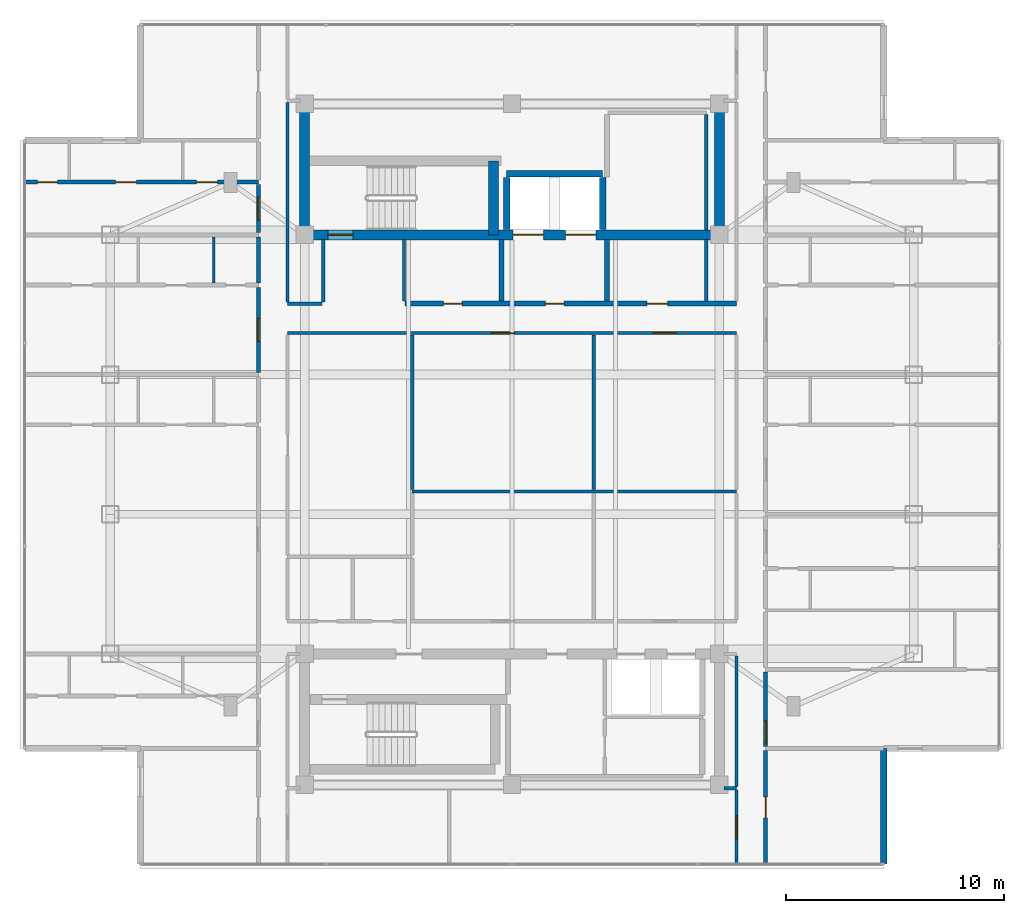
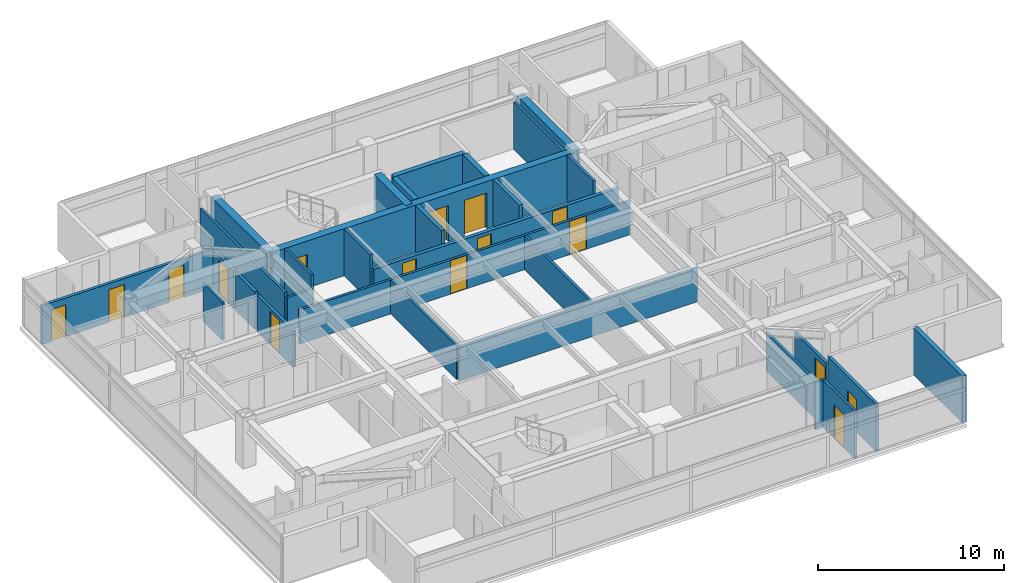
# One storey, part 9 of 14: 31 walls, 16 doors, 16 openings.
"""IFC4 building model written with IfcOpenShell, lengths in metres."""

from ifc_helpers import new_model, si_unit, direction, frame, frame_2d, origin, place, context, subcontext, project, spatial, rectangle, extrude, material, layer, layer_set, type_object, element, fill, save


model = new_model("IFC4")

# Units and contexts
model_context = context("Model", 3, precision=1e-05, world=origin(), true_north=direction((0.0, 1.0)))
body_context = subcontext(model_context, "Body", "Model", "MODEL_VIEW")
ifc_project = project(units=[si_unit("LENGTHUNIT", "METRE"), si_unit("AREAUNIT", "SQUARE_METRE"), si_unit("VOLUMEUNIT", "CUBIC_METRE"), si_unit("PLANEANGLEUNIT", "RADIAN"), si_unit("MASSUNIT", "GRAM", prefix="KILO")], contexts=[model_context])

# Site, building, storey
site_placement = place(None, origin())
site = spatial("IfcSite", under=ifc_project, at=site_placement, CompositionType="ELEMENT")
building_placement = place(site_placement, origin())
building = spatial("IfcBuilding", under=site, at=building_placement, Name="Mirazonda Arch Towers", CompositionType="ELEMENT")
storey_placement = place(building_placement, frame((0.0, 0.0, 245.800048828125)))
storey = spatial("IfcBuildingStorey", under=building, at=storey_placement, Name="L70", CompositionType="ELEMENT", Elevation=245.800048828125)

# Walls
ifc_material_1 = material(Name="Concrete C50/60", Category="concrete")
ifc_layer_1 = layer(ifc_material_1, 0.449951171875, Name="WALL-CORE-450")
ifc_layer_set_1 = layer_set([ifc_layer_1], Name="Concrete C50/60")
wall_type_1 = type_object("IfcWallType", Name="WALL-CORE-450", PredefinedType="SHEAR", material=ifc_layer_set_1)
for number, where, z_axis, x_axis, name in (
    (1, (11.0, 37.60009765625, 0.0), (0.0, 0.0, 1.0), (0.0, 1.0, 0.0), "L70 T1N-W Core Shear Wall"),
    (2, (30.0, 37.60009765625, 0.0), (0.0, 0.0, 1.0), (0.0, 1.0, 0.0), "L70 T1N-E Core Shear Wall"),
):
    element("IfcWall", number, at=place(storey_placement, frame(where, z_axis=z_axis, x_axis=x_axis)), inside=storey, type_object=wall_type_1, Name=name, PredefinedType="SHEAR", context=body_context, shape_type="SweptSolid", body=[
        extrude(rectangle(XDim=6.0, YDim=0.449951171875, at=frame_2d((3.0, 0.0))), origin(), (0.0, 0.0, 1.0), 3.099853515625),
    ])

# Wall, openings, doors
wall_1_placement = place(storey_placement, frame((11.0, 37.60009765625, 0.0), z_axis=(0.0, 0.0, 1.0), x_axis=(1.0, 0.0, 0.0)))
wall_1 = element("IfcWall", 3, at=wall_1_placement, inside=storey, type_object=wall_type_1, Name="L70 T1N-S Core Shear Wall", PredefinedType="SHEAR", context=body_context, shape_type="SweptSolid", body=[
    extrude(rectangle(XDim=19.0, YDim=0.449951171875, at=frame_2d((9.5, 0.0))), origin(), (0.0, 0.0, 1.0), 3.099853515625),
])
opening_1_placement = place(wall_1_placement, frame((1.06005859375, 0.0, 0.0)))
opening_1 = element("IfcOpeningElement", 4, at=opening_1_placement, cuts=wall_1, Name="Opening DR-135", PredefinedType="OPENING", context=body_context, shape_type="SweptSolid", body=[
    extrude(rectangle(XDim=1.14990234375, YDim=2.199951171875, at=frame_2d((0.574951171875, 1.10009765625))), frame((0.0, 0.23486328125, 0.0), z_axis=(0.0, -1.0, 0.0), x_axis=(1.0, 0.0, 0.0)), (0.0, 0.0, 1.0), 0.469970703125),
])
opening_2_placement = place(wall_1_placement, frame((9.550048828125, 0.0, 0.0)))
opening_2 = element("IfcOpeningElement", 5, at=opening_2_placement, cuts=wall_1, Name="Opening LD-112", PredefinedType="OPENING", context=body_context, shape_type="SweptSolid", body=[
    extrude(rectangle(XDim=1.39990234375, YDim=2.35009765625, at=frame_2d((0.699951171875, 1.175048828125))), frame((0.0, 0.23486328125, 0.0), z_axis=(0.0, -1.0, 0.0), x_axis=(1.0, 0.0, 0.0)), (0.0, 0.0, 1.0), 0.469970703125),
])
opening_3_placement = place(wall_1_placement, frame((11.949951171875, 0.0, 0.0)))
opening_3 = element("IfcOpeningElement", 6, at=opening_3_placement, cuts=wall_1, Name="Opening LD-112", PredefinedType="OPENING", context=body_context, shape_type="SweptSolid", body=[
    extrude(rectangle(XDim=1.39990234375, YDim=2.35009765625, at=frame_2d((0.699951171875, 1.175048828125))), frame((0.0, 0.23486328125, 0.0), z_axis=(0.0, -1.0, 0.0), x_axis=(1.0, 0.0, 0.0)), (0.0, 0.0, 1.0), 0.469970703125),
])
ifc_material_2 = material(Name="Architectural Brushed Steel S355", Category="steel")
door_type_1 = type_object("IfcDoorType", Name="DOOR-LIFT-FFL-1400", OperationType="NOTDEFINED", PredefinedType="DOOR", material=ifc_material_2)
door_1_placement = place(opening_2_placement, origin())
door_1 = element("IfcDoor", 7, at=door_1_placement, inside=storey, type_object=door_type_1, Name="L70 Lift Landing Sliding Door FFL-T1", OperationType="DOUBLE_DOOR_SLIDING", OverallHeight=2.35009765625, OverallWidth=1.39990234375, PredefinedType="DOOR", context=body_context, shape_type="SweptSolid", body=[
    extrude(rectangle(XDim=1.39990234375, YDim=2.35009765625, at=frame_2d((0.699951171875, 1.175048828125))), frame((0.0, 0.02490234375, 0.0), z_axis=(0.0, -1.0, 0.0), x_axis=(1.0, 0.0, 0.0)), (0.0, 0.0, 1.0), 0.050048828125),
])
fill(opening_2, door_1)
door_2_placement = place(opening_3_placement, origin())
door_2 = element("IfcDoor", 8, at=door_2_placement, inside=storey, type_object=door_type_1, Name="L70 Lift Landing Sliding Door SVL-T1", OperationType="DOUBLE_DOOR_SLIDING", OverallHeight=2.35009765625, OverallWidth=1.39990234375, PredefinedType="DOOR", context=body_context, shape_type="SweptSolid", body=[
    extrude(rectangle(XDim=1.39990234375, YDim=2.35009765625, at=frame_2d((0.699951171875, 1.175048828125))), frame((0.0, 0.02490234375, 0.0), z_axis=(0.0, -1.0, 0.0), x_axis=(1.0, 0.0, 0.0)), (0.0, 0.0, 1.0), 0.050048828125),
])
fill(opening_3, door_2)
door_type_2 = type_object("IfcDoorType", Name="DOOR-STAIR-FD90-1150", OperationType="NOTDEFINED", PredefinedType="DOOR", material=ifc_material_2)
door_3_placement = place(opening_1_placement, origin())
door_3 = element("IfcDoor", 9, at=door_3_placement, inside=storey, type_object=door_type_2, Name="L70 Protected Exit Stair North Door", OperationType="SINGLE_SWING_RIGHT", OverallHeight=2.199951171875, OverallWidth=1.14990234375, PredefinedType="DOOR", context=body_context, shape_type="SweptSolid", body=[
    extrude(rectangle(XDim=1.14990234375, YDim=2.199951171875, at=frame_2d((0.574951171875, 1.10009765625))), frame((0.0, 0.02490234375, 0.0), z_axis=(0.0, -1.0, 0.0), x_axis=(1.0, 0.0, 0.0)), (0.0, 0.0, 1.0), 0.050048828125),
])
fill(opening_1, door_3)

# Walls
wall_2_placement = place(storey_placement, frame((19.64990234375, 37.60009765625, 0.0), z_axis=(0.0, 0.0, 1.0), x_axis=(0.0, 1.0, 0.0)))
element("IfcWall", 10, at=wall_2_placement, inside=storey, type_object=wall_type_1, Name="L70 T1N-STE Core Shear Wall", PredefinedType="SHEAR", context=body_context, shape_type="SweptSolid", body=[
    extrude(rectangle(XDim=3.392822265625, YDim=0.449951171875, at=frame_2d((1.6962890625, 0.0))), origin(), (0.0, 0.0, 1.0), 3.099853515625),
])
ifc_material_3 = material(Name="Precast Concrete C40/50", Category="concrete")
ifc_layer_2 = layer(ifc_material_3, 0.280029296875, Name="WALL-EXT-WALL-280")
ifc_layer_set_2 = layer_set([ifc_layer_2], Name="Precast Concrete C40/50")
wall_type_2 = type_object("IfcWallType", Name="WALL-EXT-WALL-280", PredefinedType="SOLIDWALL", material=ifc_layer_set_2)
wall_3_placement = place(storey_placement, frame((37.530029296875, 8.77587890625, 0.0), z_axis=(0.0, 0.0, 1.0), x_axis=(0.0, 1.0, 0.0)))
element("IfcWall", 11, at=wall_3_placement, inside=storey, type_object=wall_type_2, Name="L70 T1 Corner Notch Return Wall WL-L70-T1-CSE2", PredefinedType="SOLIDWALL", context=body_context, shape_type="SweptSolid", body=[
    extrude(rectangle(XDim=5.2900390625, YDim=0.280029296875, at=frame_2d((2.64501953125, 0.0))), origin(), (0.0, 0.0, 1.0), 3.079833984375),
])

# Wall, openings, doors
ifc_material_4 = material(Name="Concrete C40/50", Category="concrete")
ifc_layer_3 = layer(ifc_material_4, 0.219970703125, Name="WALL-FFL-220")
ifc_layer_set_3 = layer_set([ifc_layer_3], Name="Concrete C40/50")
wall_type_3 = type_object("IfcWallType", Name="WALL-FFL-220", PredefinedType="SOLIDWALL", material=ifc_layer_set_3)
wall_4_placement = place(storey_placement, frame((15.590087890625, 34.449951171875, 0.0), z_axis=(0.0, 0.0, 1.0), x_axis=(1.0, 0.0, 0.0)))
wall_4 = element("IfcWall", 12, at=wall_4_placement, inside=storey, type_object=wall_type_3, Name="L70 Interior Partition 026", PredefinedType="SOLIDWALL", context=body_context, shape_type="SweptSolid", body=[
    extrude(rectangle(XDim=15.18994140625, YDim=0.219970703125, at=frame_2d((7.594970703125, 0.0))), origin(), (0.0, 0.0, 1.0), 2.23583984375),
])
opening_4_placement = place(wall_4_placement, frame((6.43505859375, 0.0, 0.0)))
opening_4 = element("IfcOpeningElement", 13, at=opening_4_placement, cuts=wall_4, Name="Opening DR-128", PredefinedType="OPENING", context=body_context, shape_type="SweptSolid", body=[
    extrude(rectangle(XDim=0.85009765625, YDim=2.010009765625, at=frame_2d((0.425048828125, 1.0048828125))), frame((0.0, 0.119873046875, 0.0), z_axis=(0.0, -1.0, 0.0), x_axis=(1.0, 0.0, 0.0)), (0.0, 0.0, 1.0), 0.239990234375),
])
opening_5_placement = place(wall_4_placement, frame((11.0849609375, 0.0, 0.0)))
opening_5 = element("IfcOpeningElement", 14, at=opening_5_placement, cuts=wall_4, Name="Opening DR-104", PredefinedType="OPENING", context=body_context, shape_type="SweptSolid", body=[
    extrude(rectangle(XDim=0.949951171875, YDim=2.14990234375, at=frame_2d((0.47509765625, 1.074951171875))), frame((0.0, 0.119873046875, 0.0), z_axis=(0.0, -1.0, 0.0), x_axis=(1.0, 0.0, 0.0)), (0.0, 0.0, 1.0), 0.239990234375),
])
opening_6_placement = place(wall_4_placement, frame((1.77490234375, 0.0, 0.0)))
opening_6 = element("IfcOpeningElement", 15, at=opening_6_placement, cuts=wall_4, Name="Opening DR-128", PredefinedType="OPENING", context=body_context, shape_type="SweptSolid", body=[
    extrude(rectangle(XDim=0.85009765625, YDim=2.010009765625, at=frame_2d((0.425048828125, 1.0048828125))), frame((0.0, 0.119873046875, 0.0), z_axis=(0.0, -1.0, 0.0), x_axis=(1.0, 0.0, 0.0)), (0.0, 0.0, 1.0), 0.239990234375),
])
door_type_3 = type_object("IfcDoorType", Name="DOOR-RISER-FD60-850", OperationType="NOTDEFINED", PredefinedType="DOOR", material=ifc_material_2)
door_4_placement = place(opening_4_placement, origin())
door_4 = element("IfcDoor", 16, at=door_4_placement, inside=storey, type_object=door_type_3, Name="L70 Firefighting Lift Lobby Door", OperationType="SINGLE_SWING_LEFT", OverallHeight=2.010009765625, OverallWidth=0.85009765625, PredefinedType="DOOR", context=body_context, shape_type="SweptSolid", body=[
    extrude(rectangle(XDim=0.85009765625, YDim=2.010009765625, at=frame_2d((0.425048828125, 1.0048828125))), frame((0.0, 0.02490234375, 0.0), z_axis=(0.0, -1.0, 0.0), x_axis=(1.0, 0.0, 0.0)), (0.0, 0.0, 1.0), 0.050048828125),
])
fill(opening_4, door_4)
door_5_placement = place(opening_6_placement, origin())
door_5 = element("IfcDoor", 17, at=door_5_placement, inside=storey, type_object=door_type_3, Name="L70 Housekeeping Linen Room Door", OperationType="SINGLE_SWING_LEFT", OverallHeight=2.010009765625, OverallWidth=0.85009765625, PredefinedType="DOOR", context=body_context, shape_type="SweptSolid", body=[
    extrude(rectangle(XDim=0.85009765625, YDim=2.010009765625, at=frame_2d((0.425048828125, 1.0048828125))), frame((0.0, 0.02490234375, 0.0), z_axis=(0.0, -1.0, 0.0), x_axis=(1.0, 0.0, 0.0)), (0.0, 0.0, 1.0), 0.050048828125),
])
fill(opening_6, door_5)
door_type_4 = type_object("IfcDoorType", Name="DOOR-ROOM-950", OperationType="NOTDEFINED", PredefinedType="DOOR", material=ifc_material_2)
door_6_placement = place(opening_5_placement, origin())
door_6 = element("IfcDoor", 18, at=door_6_placement, inside=storey, type_object=door_type_4, Name="L70 Residents Private Art Gallery Door", OperationType="SINGLE_SWING_RIGHT", OverallHeight=2.14990234375, OverallWidth=0.949951171875, PredefinedType="DOOR", context=body_context, shape_type="SweptSolid", body=[
    extrude(rectangle(XDim=0.949951171875, YDim=2.14990234375, at=frame_2d((0.47509765625, 1.074951171875))), frame((0.0, 0.02490234375, 0.0), z_axis=(0.0, -1.0, 0.0), x_axis=(1.0, 0.0, 0.0)), (0.0, 0.0, 1.0), 0.050048828125),
])
fill(opening_5, door_6)

# Walls
for number, where, z_axis, x_axis, name in (
    (19, (20.02490234375, 34.570068359375, 0.0), (0.0, 0.0, 1.0), (0.0, 1.0, 0.0), "L70 Interior Partition 071"),
    (20, (24.85009765625, 34.570068359375, 0.0), (0.0, 0.0, 1.0), (0.0, 1.0, 0.0), "L70 Interior Partition 080"),
):
    element("IfcWall", number, at=place(storey_placement, frame(where, z_axis=z_axis, x_axis=x_axis)), inside=storey, type_object=wall_type_3, Name=name, PredefinedType="SOLIDWALL", context=body_context, shape_type="SweptSolid", body=[
        extrude(rectangle(XDim=2.809814453125, YDim=0.219970703125, at=frame_2d((1.40478515625, 0.0))), origin(), (0.0, 0.0, 1.0), 3.099853515625),
    ])
ifc_material_5 = material(Name="Fire-Rated Gypsum Stud Partition")
ifc_layer_4 = layer(ifc_material_5, 0.14990234375, Name="WALL-PART-CORR-150")
ifc_layer_set_4 = layer_set([ifc_layer_4], Name="Fire-Rated Gypsum Stud Partition")
wall_type_4 = type_object("IfcWallType", Name="WALL-PART-CORR-150", PredefinedType="PARTITIONING", material=ifc_layer_set_4)
wall_5_placement = place(storey_placement, frame((30.219970703125, 12.25, 0.0), z_axis=(0.0, 0.0, 1.0), x_axis=(1.0, 0.0, 0.0)))
element("IfcWall", 21, at=wall_5_placement, inside=storey, type_object=wall_type_4, Name="L70 Interior Partition 002", PredefinedType="PARTITIONING", context=body_context, shape_type="SweptSolid", body=[
    extrude(rectangle(XDim=0.56005859375, YDim=0.14990234375, at=frame_2d((0.280029296875, 0.0))), origin(), (0.0, 0.0, 1.0), 3.099853515625),
])
wall_6_placement = place(storey_placement, frame((15.929931640625, 25.840087890625, 0.0), z_axis=(0.0, 0.0, 1.0), x_axis=(1.0, 0.0, 0.0)))
element("IfcWall", 22, at=wall_6_placement, inside=storey, type_object=wall_type_4, Name="L70 Interior Partition 019", PredefinedType="PARTITIONING", context=body_context, shape_type="SweptSolid", body=[
    extrude(rectangle(XDim=14.85009765625, YDim=0.14990234375, at=frame_2d((7.425048828125, 0.0))), origin(), (0.0, 0.0, 1.0), 2.23583984375),
])

# Wall, openings, doors
wall_7_placement = place(storey_placement, frame((10.219970703125, 33.10009765625, 0.0), z_axis=(0.0, 0.0, 1.0), x_axis=(1.0, 0.0, 0.0)))
wall_7 = element("IfcWall", 23, at=wall_7_placement, inside=storey, type_object=wall_type_4, Name="L70 Interior Partition 024", PredefinedType="PARTITIONING", context=body_context, shape_type="SweptSolid", body=[
    extrude(rectangle(XDim=20.56005859375, YDim=0.14990234375, at=frame_2d((10.280029296875, 0.0))), origin(), (0.0, 0.0, 1.0), 2.23583984375),
])
opening_7_placement = place(wall_7_placement, frame((9.343017578125, 0.0, 0.0)))
opening_7 = element("IfcOpeningElement", 24, at=opening_7_placement, cuts=wall_7, Name="Opening DR-121", PredefinedType="OPENING", context=body_context, shape_type="SweptSolid", body=[
    extrude(rectangle(XDim=1.050048828125, YDim=2.199951171875, at=frame_2d((0.52490234375, 1.10009765625))), frame((0.0, 0.0849609375, 0.0), z_axis=(0.0, -1.0, 0.0), x_axis=(1.0, 0.0, 0.0)), (0.0, 0.0, 1.0), 0.169921875),
])
opening_8_placement = place(wall_7_placement, frame((16.748046875, 0.0, 0.0)))
opening_8 = element("IfcOpeningElement", 25, at=opening_8_placement, cuts=wall_7, Name="Opening DR-121", PredefinedType="OPENING", context=body_context, shape_type="SweptSolid", body=[
    extrude(rectangle(XDim=1.050048828125, YDim=2.199951171875, at=frame_2d((0.52490234375, 1.10009765625))), frame((0.0, 0.0849609375, 0.0), z_axis=(0.0, -1.0, 0.0), x_axis=(1.0, 0.0, 0.0)), (0.0, 0.0, 1.0), 0.169921875),
])
door_type_5 = type_object("IfcDoorType", Name="DOOR-SUITE-FD60-1050", OperationType="NOTDEFINED", PredefinedType="DOOR", material=ifc_material_2)
door_7_placement = place(opening_7_placement, origin())
door_7 = element("IfcDoor", 26, at=door_7_placement, inside=storey, type_object=door_type_5, Name="L70 Private Dining Room Door", OperationType="SINGLE_SWING_RIGHT", OverallHeight=2.199951171875, OverallWidth=1.050048828125, PredefinedType="DOOR", context=body_context, shape_type="SweptSolid", body=[
    extrude(rectangle(XDim=1.050048828125, YDim=2.199951171875, at=frame_2d((0.52490234375, 1.10009765625))), frame((0.0, 0.02490234375, 0.0), z_axis=(0.0, -1.0, 0.0), x_axis=(1.0, 0.0, 0.0)), (0.0, 0.0, 1.0), 0.050048828125),
])
fill(opening_7, door_7)
door_8_placement = place(opening_8_placement, origin())
door_8 = element("IfcDoor", 27, at=door_8_placement, inside=storey, type_object=door_type_5, Name="L70 Collectors Gallery Study Door", OperationType="SINGLE_SWING_LEFT", OverallHeight=2.199951171875, OverallWidth=1.050048828125, PredefinedType="DOOR", context=body_context, shape_type="SweptSolid", body=[
    extrude(rectangle(XDim=1.050048828125, YDim=2.199951171875, at=frame_2d((0.52490234375, 1.10009765625))), frame((0.0, 0.02490234375, 0.0), z_axis=(0.0, -1.0, 0.0), x_axis=(1.0, 0.0, 0.0)), (0.0, 0.0, 1.0), 0.050048828125),
])
fill(opening_8, door_8)

# Walls
wall_8_placement = place(storey_placement, frame((10.219970703125, 34.449951171875, 0.0), z_axis=(0.0, 0.0, 1.0), x_axis=(1.0, 0.0, 0.0)))
element("IfcWall", 28, at=wall_8_placement, inside=storey, type_object=wall_type_4, Name="L70 Interior Partition 025", PredefinedType="PARTITIONING", context=body_context, shape_type="SweptSolid", body=[
    extrude(rectangle(XDim=1.580078125, YDim=0.14990234375, at=frame_2d((0.7900390625, 0.0))), origin(), (0.0, 0.0, 1.0), 2.23583984375),
])
wall_9_placement = place(storey_placement, frame((10.219970703125, 34.534912109375, 0.0), z_axis=(0.0, 0.0, 1.0), x_axis=(0.0, 1.0, 0.0)))
element("IfcWall", 29, at=wall_9_placement, inside=storey, type_object=wall_type_4, Name="L70 Interior Partition 061", PredefinedType="PARTITIONING", context=body_context, shape_type="SweptSolid", body=[
    extrude(rectangle(XDim=9.130126953125, YDim=0.14990234375, at=frame_2d((4.56494140625, 0.0))), origin(), (0.0, 0.0, 1.0), 2.491943359375),
])
wall_10_placement = place(storey_placement, frame((11.85009765625, 34.534912109375, 0.0), z_axis=(0.0, 0.0, 1.0), x_axis=(0.0, 1.0, 0.0)))
element("IfcWall", 30, at=wall_10_placement, inside=storey, type_object=wall_type_4, Name="L70 Interior Partition 063", PredefinedType="PARTITIONING", context=body_context, shape_type="SweptSolid", body=[
    extrude(rectangle(XDim=2.844970703125, YDim=0.14990234375, at=frame_2d((1.42236328125, 0.0))), origin(), (0.0, 0.0, 1.0), 3.099853515625),
])
wall_11_placement = place(storey_placement, frame((15.550048828125, 34.570068359375, 0.0), z_axis=(0.0, 0.0, 1.0), x_axis=(0.0, 1.0, 0.0)))
element("IfcWall", 31, at=wall_11_placement, inside=storey, type_object=wall_type_4, Name="L70 Interior Partition 065", PredefinedType="PARTITIONING", context=body_context, shape_type="SweptSolid", body=[
    extrude(rectangle(XDim=2.809814453125, YDim=0.14990234375, at=frame_2d((1.40478515625, 0.0))), origin(), (0.0, 0.0, 1.0), 3.099853515625),
])
for number, where, z_axis, x_axis, name in (
    (32, (15.929931640625, 25.925048828125, 0.0), (0.0, 0.0, 1.0), (0.0, 1.0, 0.0), "L70 Interior Partition 068"),
    (33, (24.24609375, 25.925048828125, 0.0), (0.0, 0.0, 1.0), (0.0, 1.0, 0.0), "L70 Interior Partition 076"),
):
    element("IfcWall", number, at=place(storey_placement, frame(where, z_axis=z_axis, x_axis=x_axis)), inside=storey, type_object=wall_type_4, Name=name, PredefinedType="PARTITIONING", context=body_context, shape_type="SweptSolid", body=[
        extrude(rectangle(XDim=7.08984375, YDim=0.14990234375, at=frame_2d((3.544921875, 0.0))), origin(), (0.0, 0.0, 1.0), 2.23583984375),
    ])
wall_12_placement = place(storey_placement, frame((29.39990234375, 34.570068359375, 0.0), z_axis=(0.0, 0.0, 1.0), x_axis=(0.0, 1.0, 0.0)))
element("IfcWall", 34, at=wall_12_placement, inside=storey, type_object=wall_type_4, Name="L70 Interior Partition 084", PredefinedType="PARTITIONING", context=body_context, shape_type="SweptSolid", body=[
    extrude(rectangle(XDim=2.809814453125, YDim=0.14990234375, at=frame_2d((1.40478515625, 0.0))), origin(), (0.0, 0.0, 1.0), 3.099853515625),
])
wall_13_placement = place(storey_placement, frame((29.39990234375, 37.820068359375, 0.0), z_axis=(0.0, 0.0, 1.0), x_axis=(0.0, 1.0, 0.0)))
element("IfcWall", 35, at=wall_13_placement, inside=storey, type_object=wall_type_4, Name="L70 Interior Partition 085", PredefinedType="PARTITIONING", context=body_context, shape_type="SweptSolid", body=[
    extrude(rectangle(XDim=5.294921875, YDim=0.14990234375, at=frame_2d((2.6474609375, 0.0))), origin(), (0.0, 0.0, 1.0), 3.099853515625),
])

# Wall, opening, door
wall_14_placement = place(storey_placement, frame((30.780029296875, 8.77587890625, 0.0), z_axis=(0.0, 0.0, 1.0), x_axis=(0.0, 1.0, 0.0)))
wall_14 = element("IfcWall", 36, at=wall_14_placement, inside=storey, type_object=wall_type_4, Name="L70 Interior Partition 086", PredefinedType="PARTITIONING", context=body_context, shape_type="SweptSolid", body=[
    extrude(rectangle(XDim=3.38916015625, YDim=0.14990234375, at=frame_2d((1.694580078125, 0.0))), origin(), (0.0, 0.0, 1.0), 3.099853515625),
])
opening_9_placement = place(wall_14_placement, frame((1.16943359375, 0.0, 0.0)))
opening_9 = element("IfcOpeningElement", 37, at=opening_9_placement, cuts=wall_14, Name="Opening DR-121", PredefinedType="OPENING", context=body_context, shape_type="SweptSolid", body=[
    extrude(rectangle(XDim=1.050048828125, YDim=2.199951171875, at=frame_2d((0.52490234375, 1.10009765625))), frame((0.0, 0.0849609375, 0.0), z_axis=(0.0, -1.0, 0.0), x_axis=(1.0, 0.0, 0.0)), (0.0, 0.0, 1.0), 0.169921875),
])
door_9_placement = place(opening_9_placement, origin())
door_9 = element("IfcDoor", 38, at=door_9_placement, inside=storey, type_object=door_type_5, Name="L70 South Panoramic Study Grand Door", OperationType="SINGLE_SWING_LEFT", OverallHeight=2.199951171875, OverallWidth=1.050048828125, PredefinedType="DOOR", context=body_context, shape_type="SweptSolid", body=[
    extrude(rectangle(XDim=1.050048828125, YDim=2.199951171875, at=frame_2d((0.52490234375, 1.10009765625))), frame((0.0, 0.02490234375, 0.0), z_axis=(0.0, -1.0, 0.0), x_axis=(1.0, 0.0, 0.0)), (0.0, 0.0, 1.0), 0.050048828125),
])
fill(opening_9, door_9)

# Wall
wall_15_placement = place(storey_placement, frame((30.780029296875, 12.3349609375, 0.0), z_axis=(0.0, 0.0, 1.0), x_axis=(0.0, 1.0, 0.0)))
element("IfcWall", 39, at=wall_15_placement, inside=storey, type_object=wall_type_4, Name="L70 Interior Partition 087", PredefinedType="PARTITIONING", context=body_context, shape_type="SweptSolid", body=[
    extrude(rectangle(XDim=5.97998046875, YDim=0.14990234375, at=frame_2d((2.989990234375, 0.0))), origin(), (0.0, 0.0, 1.0), 2.491943359375),
])

# Wall, openings, doors
ifc_material_6 = material(Name="Fire-Rated Gypsum Twin-Stud Assembly")
ifc_layer_5 = layer(ifc_material_6, 0.179931640625, Name="WALL-PART-DEMISE-180")
ifc_layer_set_5 = layer_set([ifc_layer_5], Name="Fire-Rated Gypsum Twin-Stud Assembly")
wall_type_5 = type_object("IfcWallType", Name="WALL-PART-DEMISE-180", PredefinedType="PARTITIONING", material=ifc_layer_set_5)
wall_16_placement = place(storey_placement, frame((-1.820068359375, 40.013916015625, 0.0), z_axis=(0.0, 0.0, 1.0), x_axis=(1.0, 0.0, 0.0)))
wall_16 = element("IfcWall", 40, at=wall_16_placement, inside=storey, type_object=wall_type_5, Name="L70 Interior Partition 031", PredefinedType="PARTITIONING", context=body_context, shape_type="SweptSolid", body=[
    extrude(rectangle(XDim=10.699951171875, YDim=0.179931640625, at=frame_2d((5.35009765625, 0.0))), origin(), (0.0, 0.0, 1.0), 2.54296875),
])
opening_10_placement = place(wall_16_placement, frame((4.1630859375, 0.0, 0.0)))
opening_10 = element("IfcOpeningElement", 41, at=opening_10_placement, cuts=wall_16, Name="Opening DR-104", PredefinedType="OPENING", context=body_context, shape_type="SweptSolid", body=[
    extrude(rectangle(XDim=0.949951171875, YDim=2.14990234375, at=frame_2d((0.47509765625, 1.074951171875))), frame((0.0, 0.099853515625, 0.0), z_axis=(0.0, -1.0, 0.0), x_axis=(1.0, 0.0, 0.0)), (0.0, 0.0, 1.0), 0.199951171875),
])
opening_11_placement = place(wall_16_placement, frame((7.873046875, 0.0, 0.0)))
opening_11 = element("IfcOpeningElement", 42, at=opening_11_placement, cuts=wall_16, Name="Opening DR-104", PredefinedType="OPENING", context=body_context, shape_type="SweptSolid", body=[
    extrude(rectangle(XDim=0.949951171875, YDim=2.14990234375, at=frame_2d((0.47509765625, 1.074951171875))), frame((0.0, 0.099853515625, 0.0), z_axis=(0.0, -1.0, 0.0), x_axis=(1.0, 0.0, 0.0)), (0.0, 0.0, 1.0), 0.199951171875),
])
opening_12_placement = place(wall_16_placement, frame((0.590087890625, 0.0, 0.0)))
opening_12 = element("IfcOpeningElement", 43, at=opening_12_placement, cuts=wall_16, Name="Opening DR-120", PredefinedType="OPENING", context=body_context, shape_type="SweptSolid", body=[
    extrude(rectangle(XDim=0.89990234375, YDim=2.10009765625, at=frame_2d((0.449951171875, 1.050048828125))), frame((0.0, 0.099853515625, 0.0), z_axis=(0.0, -1.0, 0.0), x_axis=(1.0, 0.0, 0.0)), (0.0, 0.0, 1.0), 0.199951171875),
])
door_10_placement = place(opening_10_placement, origin())
door_10 = element("IfcDoor", 44, at=door_10_placement, inside=storey, type_object=door_type_4, Name="L70 Residence 4 Principal Bedroom Door", OperationType="SINGLE_SWING_RIGHT", OverallHeight=2.14990234375, OverallWidth=0.949951171875, PredefinedType="DOOR", context=body_context, shape_type="SweptSolid", body=[
    extrude(rectangle(XDim=0.949951171875, YDim=2.14990234375, at=frame_2d((0.47509765625, 1.074951171875))), frame((0.0, 0.02490234375, 0.0), z_axis=(0.0, -1.0, 0.0), x_axis=(1.0, 0.0, 0.0)), (0.0, 0.0, 1.0), 0.050048828125),
])
fill(opening_10, door_10)
door_11_placement = place(opening_11_placement, origin())
door_11 = element("IfcDoor", 45, at=door_11_placement, inside=storey, type_object=door_type_4, Name="L70 Residence 4 Fitted Kitchen Door", OperationType="SINGLE_SWING_LEFT", OverallHeight=2.14990234375, OverallWidth=0.949951171875, PredefinedType="DOOR", context=body_context, shape_type="SweptSolid", body=[
    extrude(rectangle(XDim=0.949951171875, YDim=2.14990234375, at=frame_2d((0.47509765625, 1.074951171875))), frame((0.0, 0.02490234375, 0.0), z_axis=(0.0, -1.0, 0.0), x_axis=(1.0, 0.0, 0.0)), (0.0, 0.0, 1.0), 0.050048828125),
])
fill(opening_11, door_11)
door_type_6 = type_object("IfcDoorType", Name="DOOR-WC-900", OperationType="NOTDEFINED", PredefinedType="DOOR", material=ifc_material_2)
door_12_placement = place(opening_12_placement, origin())
door_12 = element("IfcDoor", 46, at=door_12_placement, inside=storey, type_object=door_type_6, Name="L70 Residence 4 Bathroom Door", OperationType="SINGLE_SWING_RIGHT", OverallHeight=2.10009765625, OverallWidth=0.89990234375, PredefinedType="DOOR", context=body_context, shape_type="SweptSolid", body=[
    extrude(rectangle(XDim=0.89990234375, YDim=2.10009765625, at=frame_2d((0.449951171875, 1.050048828125))), frame((0.0, 0.02490234375, 0.0), z_axis=(0.0, -1.0, 0.0), x_axis=(1.0, 0.0, 0.0)), (0.0, 0.0, 1.0), 0.050048828125),
])
fill(opening_12, door_12)

# Wall, opening, door
wall_17_placement = place(storey_placement, frame((8.8798828125, 31.300048828125, 0.0), z_axis=(0.0, 0.0, 1.0), x_axis=(0.0, 1.0, 0.0)))
wall_17 = element("IfcWall", 47, at=wall_17_placement, inside=storey, type_object=wall_type_5, Name="L70 Interior Partition 052", PredefinedType="PARTITIONING", context=body_context, shape_type="SweptSolid", body=[
    extrude(rectangle(XDim=3.89990234375, YDim=0.179931640625, at=frame_2d((1.949951171875, 0.0))), origin(), (0.0, 0.0, 1.0), 2.39599609375),
])
opening_13_placement = place(wall_17_placement, frame((1.425048828125, 0.0, 0.0)))
opening_13 = element("IfcOpeningElement", 48, at=opening_13_placement, cuts=wall_17, Name="Opening DR-121", PredefinedType="OPENING", context=body_context, shape_type="SweptSolid", body=[
    extrude(rectangle(XDim=1.050048828125, YDim=2.199951171875, at=frame_2d((0.52490234375, 1.10009765625))), frame((0.0, 0.099853515625, 0.0), z_axis=(0.0, -1.0, 0.0), x_axis=(1.0, 0.0, 0.0)), (0.0, 0.0, 1.0), 0.199951171875),
])
door_13_placement = place(opening_13_placement, origin())
door_13 = element("IfcDoor", 49, at=door_13_placement, inside=storey, type_object=door_type_5, Name="L70 Residence 3 Living & Dining Salon Door", OperationType="SINGLE_SWING_LEFT", OverallHeight=2.199951171875, OverallWidth=1.050048828125, PredefinedType="DOOR", context=body_context, shape_type="SweptSolid", body=[
    extrude(rectangle(XDim=1.050048828125, YDim=2.199951171875, at=frame_2d((0.52490234375, 1.10009765625))), frame((0.0, 0.02490234375, 0.0), z_axis=(0.0, -1.0, 0.0), x_axis=(1.0, 0.0, 0.0)), (0.0, 0.0, 1.0), 0.050048828125),
])
fill(opening_13, door_13)

# Wall
wall_18_placement = place(storey_placement, frame((8.8798828125, 35.39990234375, 0.0), z_axis=(0.0, 0.0, 1.0), x_axis=(0.0, 1.0, 0.0)))
element("IfcWall", 50, at=wall_18_placement, inside=storey, type_object=wall_type_5, Name="L70 Interior Partition 053", PredefinedType="PARTITIONING", context=body_context, shape_type="SweptSolid", body=[
    extrude(rectangle(XDim=2.10009765625, YDim=0.179931640625, at=frame_2d((1.050048828125, 0.0))), origin(), (0.0, 0.0, 1.0), 2.491943359375),
])

# Wall, opening, door
wall_19_placement = place(storey_placement, frame((8.8798828125, 37.699951171875, 0.0), z_axis=(0.0, 0.0, 1.0), x_axis=(0.0, 1.0, 0.0)))
wall_19 = element("IfcWall", 51, at=wall_19_placement, inside=storey, type_object=wall_type_5, Name="L70 Interior Partition 054", PredefinedType="PARTITIONING", context=body_context, shape_type="SweptSolid", body=[
    extrude(rectangle(XDim=2.214111328125, YDim=0.179931640625, at=frame_2d((1.10693359375, 0.0))), origin(), (0.0, 0.0, 1.0), 2.491943359375),
])
opening_14_placement = place(wall_19_placement, frame((0.58203125, 0.0, 0.0)))
opening_14 = element("IfcOpeningElement", 52, at=opening_14_placement, cuts=wall_19, Name="Opening DR-121", PredefinedType="OPENING", context=body_context, shape_type="SweptSolid", body=[
    extrude(rectangle(XDim=1.050048828125, YDim=2.199951171875, at=frame_2d((0.52490234375, 1.10009765625))), frame((0.0, 0.099853515625, 0.0), z_axis=(0.0, -1.0, 0.0), x_axis=(1.0, 0.0, 0.0)), (0.0, 0.0, 1.0), 0.199951171875),
])
door_14_placement = place(opening_14_placement, origin())
door_14 = element("IfcDoor", 53, at=door_14_placement, inside=storey, type_object=door_type_5, Name="L70 Residence 4 Living & Dining Salon Door", OperationType="SINGLE_SWING_LEFT", OverallHeight=2.199951171875, OverallWidth=1.050048828125, PredefinedType="DOOR", context=body_context, shape_type="SweptSolid", body=[
    extrude(rectangle(XDim=1.050048828125, YDim=2.199951171875, at=frame_2d((0.52490234375, 1.10009765625))), frame((0.0, 0.02490234375, 0.0), z_axis=(0.0, -1.0, 0.0), x_axis=(1.0, 0.0, 0.0)), (0.0, 0.0, 1.0), 0.050048828125),
])
fill(opening_14, door_14)

wall_20_placement = place(storey_placement, frame((32.1201171875, 8.77587890625, 0.0), z_axis=(0.0, 0.0, 1.0), x_axis=(0.0, 1.0, 0.0)))
wall_20 = element("IfcWall", 54, at=wall_20_placement, inside=storey, type_object=wall_type_5, Name="L70 Interior Partition 092", PredefinedType="PARTITIONING", context=body_context, shape_type="SweptSolid", body=[
    extrude(rectangle(XDim=5.190185546875, YDim=0.179931640625, at=frame_2d((2.59521484375, 0.0))), origin(), (0.0, 0.0, 1.0), 3.099853515625),
])
opening_15_placement = place(wall_20_placement, frame((2.1201171875, 0.0, 0.0)))
opening_15 = element("IfcOpeningElement", 55, at=opening_15_placement, cuts=wall_20, Name="Opening DR-104", PredefinedType="OPENING", context=body_context, shape_type="SweptSolid", body=[
    extrude(rectangle(XDim=0.949951171875, YDim=2.14990234375, at=frame_2d((0.47509765625, 1.074951171875))), frame((0.0, 0.099853515625, 0.0), z_axis=(0.0, -1.0, 0.0), x_axis=(1.0, 0.0, 0.0)), (0.0, 0.0, 1.0), 0.199951171875),
])
door_15_placement = place(opening_15_placement, origin())
door_15 = element("IfcDoor", 56, at=door_15_placement, inside=storey, type_object=door_type_4, Name="L70 South Panoramic Study Alcove East Door", OperationType="SINGLE_SWING_LEFT", OverallHeight=2.14990234375, OverallWidth=0.949951171875, PredefinedType="DOOR", context=body_context, shape_type="SweptSolid", body=[
    extrude(rectangle(XDim=0.949951171875, YDim=2.14990234375, at=frame_2d((0.47509765625, 1.074951171875))), frame((0.0, 0.02490234375, 0.0), z_axis=(0.0, -1.0, 0.0), x_axis=(1.0, 0.0, 0.0)), (0.0, 0.0, 1.0), 0.050048828125),
])
fill(opening_15, door_15)

wall_21_placement = place(storey_placement, frame((32.1201171875, 14.166015625, 0.0), z_axis=(0.0, 0.0, 1.0), x_axis=(0.0, 1.0, 0.0)))
wall_21 = element("IfcWall", 57, at=wall_21_placement, inside=storey, type_object=wall_type_5, Name="L70 Interior Partition 093", PredefinedType="PARTITIONING", context=body_context, shape_type="SweptSolid", body=[
    extrude(rectangle(XDim=3.4140625, YDim=0.179931640625, at=frame_2d((1.70703125, 0.0))), origin(), (0.0, 0.0, 1.0), 2.54296875),
])
opening_16_placement = place(wall_21_placement, frame((0.1201171875, 0.0, 0.0)))
opening_16 = element("IfcOpeningElement", 58, at=opening_16_placement, cuts=wall_21, Name="Opening DR-121", PredefinedType="OPENING", context=body_context, shape_type="SweptSolid", body=[
    extrude(rectangle(XDim=1.050048828125, YDim=2.199951171875, at=frame_2d((0.52490234375, 1.10009765625))), frame((0.0, 0.099853515625, 0.0), z_axis=(0.0, -1.0, 0.0), x_axis=(1.0, 0.0, 0.0)), (0.0, 0.0, 1.0), 0.199951171875),
])
door_16_placement = place(opening_16_placement, origin())
door_16 = element("IfcDoor", 59, at=door_16_placement, inside=storey, type_object=door_type_5, Name="L70 Studio Apartment 1 Living Salon Door", OperationType="SINGLE_SWING_LEFT", OverallHeight=2.199951171875, OverallWidth=1.050048828125, PredefinedType="DOOR", context=body_context, shape_type="SweptSolid", body=[
    extrude(rectangle(XDim=1.050048828125, YDim=2.199951171875, at=frame_2d((0.52490234375, 1.10009765625))), frame((0.0, 0.02490234375, 0.0), z_axis=(0.0, -1.0, 0.0), x_axis=(1.0, 0.0, 0.0)), (0.0, 0.0, 1.0), 0.050048828125),
])
fill(opening_16, door_16)

# Walls
ifc_material_7 = material(Name="Acoustic Fire-Rated Gypsum Partition")
ifc_layer_6 = layer(ifc_material_7, 0.125, Name="WALL-PART-UNIT-125")
ifc_layer_set_6 = layer_set([ifc_layer_6], Name="Acoustic Fire-Rated Gypsum Partition")
wall_type_6 = type_object("IfcWallType", Name="WALL-PART-UNIT-125", PredefinedType="PARTITIONING", material=ifc_layer_set_6)
wall_22_placement = place(storey_placement, frame((6.840087890625, 35.39990234375, 0.0), z_axis=(0.0, 0.0, 1.0), x_axis=(0.0, 1.0, 0.0)))
element("IfcWall", 60, at=wall_22_placement, inside=storey, type_object=wall_type_6, Name="L70 Interior Partition 046", PredefinedType="PARTITIONING", context=body_context, shape_type="SweptSolid", body=[
    extrude(rectangle(XDim=2.10009765625, YDim=0.125, at=frame_2d((1.050048828125, 0.0))), origin(), (0.0, 0.0, 1.0), 2.491943359375),
])
ifc_layer_7 = layer(ifc_material_1, 0.300048828125, Name="WALL-SHAFT-300")
ifc_layer_set_7 = layer_set([ifc_layer_7], Name="Concrete C50/60")
wall_type_7 = type_object("IfcWallType", Name="WALL-SHAFT-300", PredefinedType="SOLIDWALL", material=ifc_layer_set_7)
wall_23_placement = place(storey_placement, frame((20.25, 40.39990234375, 0.0), z_axis=(0.0, 0.0, 1.0), x_axis=(1.0, 0.0, 0.0)))
element("IfcWall", 61, at=wall_23_placement, inside=storey, type_object=wall_type_7, Name="L70 Interior Partition 033", PredefinedType="SOLIDWALL", context=body_context, shape_type="SweptSolid", body=[
    extrude(rectangle(XDim=4.39990234375, YDim=0.300048828125, at=frame_2d((2.199951171875, 0.0))), origin(), (0.0, 0.0, 1.0), 3.099853515625),
])
for number, where, z_axis, x_axis, name in (
    (62, (20.25, 37.85009765625, 0.0), (0.0, 0.0, 1.0), (0.0, 1.0, 0.0), "L70 Interior Partition 074"),
    (63, (24.64990234375, 37.85009765625, 0.0), (0.0, 0.0, 1.0), (0.0, 1.0, 0.0), "L70 Interior Partition 079"),
):
    element("IfcWall", number, at=place(storey_placement, frame(where, z_axis=z_axis, x_axis=x_axis)), inside=storey, type_object=wall_type_7, Name=name, PredefinedType="SOLIDWALL", context=body_context, shape_type="SweptSolid", body=[
        extrude(rectangle(XDim=2.389892578125, YDim=0.300048828125, at=frame_2d((1.19482421875, 0.0))), origin(), (0.0, 0.0, 1.0), 3.099853515625),
    ])

save(model, "model.ifc")
